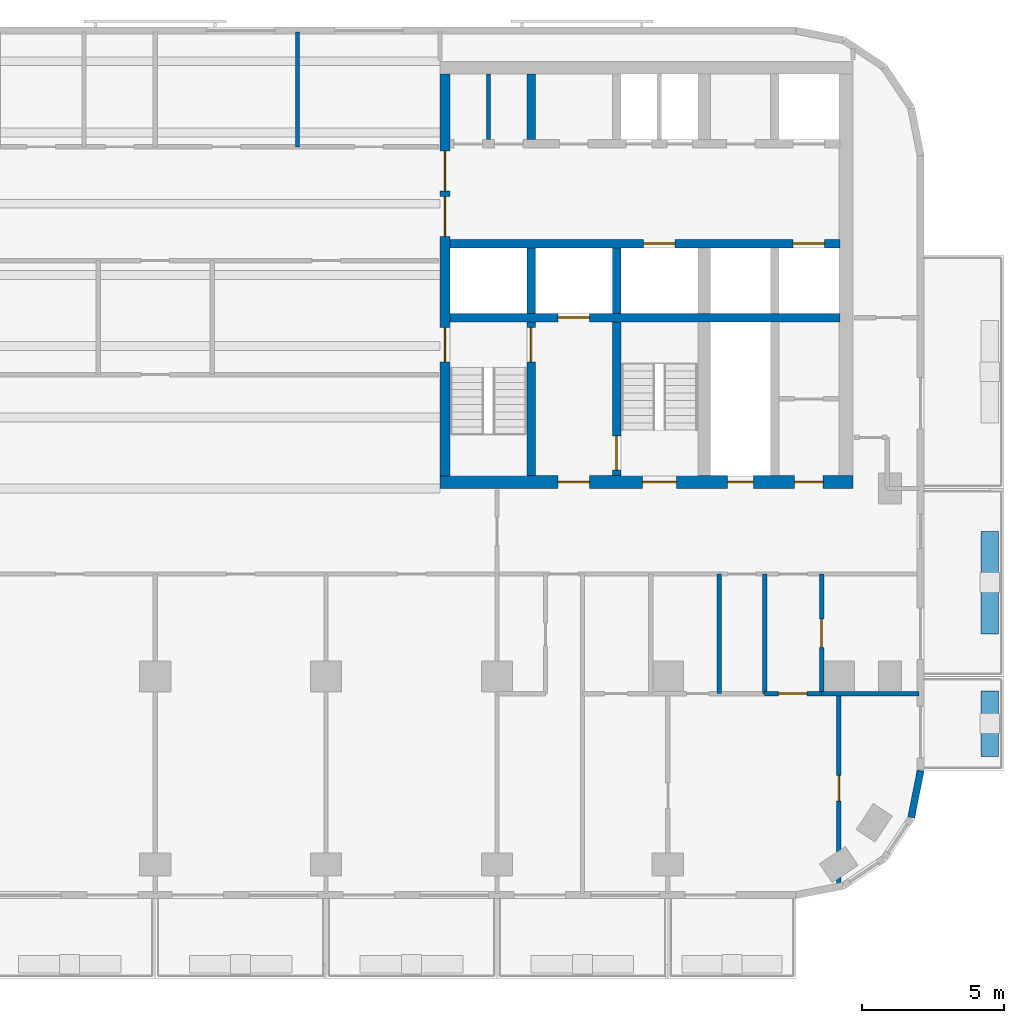
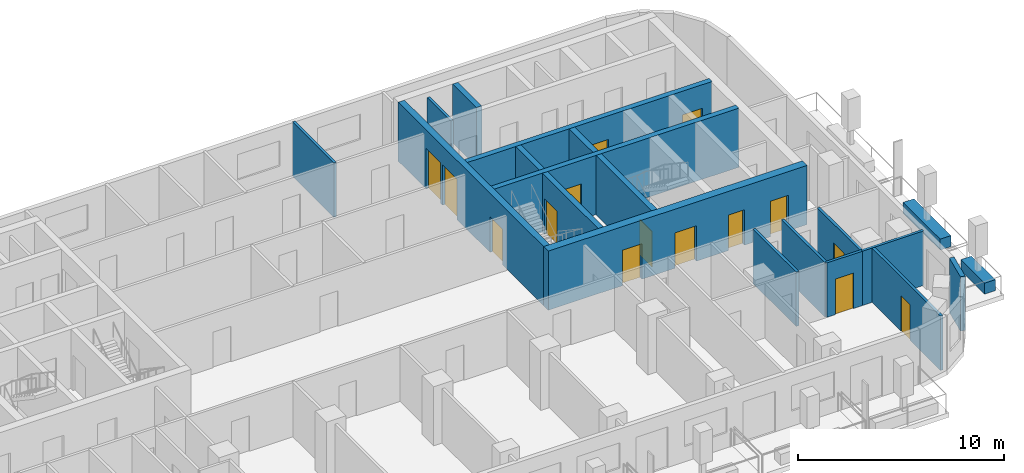
# One storey, part 6 of 12: 20 walls, 15 doors, 15 openings.
"""IFC4 building model written with IfcOpenShell, lengths in metres."""

from ifc_helpers import new_model, si_unit, direction, frame, frame_2d, origin, place, context, subcontext, project, spatial, rectangle, extrude, material, layer, layer_set, type_object, element, fill, save


model = new_model("IFC4")

# Units and contexts
model_context = context("Model", 3, precision=1e-05, world=origin(), true_north=direction((0.0, 1.0)))
body_context = subcontext(model_context, "Body", "Model", "MODEL_VIEW")
ifc_project = project(units=[si_unit("LENGTHUNIT", "METRE"), si_unit("AREAUNIT", "SQUARE_METRE"), si_unit("VOLUMEUNIT", "CUBIC_METRE"), si_unit("PLANEANGLEUNIT", "RADIAN"), si_unit("MASSUNIT", "GRAM", prefix="KILO")], contexts=[model_context])

# Site, building, storey
site_placement = place(None, origin())
site = spatial("IfcSite", under=ifc_project, at=site_placement, CompositionType="ELEMENT")
building_placement = place(site_placement, origin())
building = spatial("IfcBuilding", under=site, at=building_placement, Name="Torana Hotel and Residences", CompositionType="ELEMENT")
storey_placement = place(building_placement, frame((0.0, 0.0, 197.60009765625)))
storey = spatial("IfcBuildingStorey", under=building, at=storey_placement, Name="L51", CompositionType="ELEMENT", Elevation=197.60009765625)

# Wall, openings, doors
ifc_material_1 = material(Name="Concrete C70/85", Category="concrete")
ifc_layer_1 = layer(ifc_material_1, 0.300048828125)
ifc_layer_set_1 = layer_set([ifc_layer_1], Name="CORE WALL 300 C70/85")
wall_type_1 = type_object("IfcWallType", Name="CORE WALL 300 C70/85", PredefinedType="SHEAR", material=ifc_layer_set_1)
wall_1_placement = place(storey_placement, frame((10.35009765625, -6.39990234375, 0.0), z_axis=(0.0, 0.0, 1.0), x_axis=(1.0, 0.0, 0.0)))
wall_1 = element("IfcWall", 1, at=wall_1_placement, inside=storey, type_object=wall_type_1, Name="Core wall E row-S", PredefinedType="SHEAR", context=body_context, shape_type="SweptSolid", body=[
    extrude(rectangle(XDim=13.699951171875, YDim=0.300048828125, at=frame_2d((6.85009765625, 0.0))), origin(), (0.0, 0.0, 1.0), 3.5),
])
opening_1_placement = place(wall_1_placement, frame((12.050048828125, 0.0, 0.0)))
opening_1 = element("IfcOpeningElement", 2, at=opening_1_placement, cuts=wall_1, Name="Opening LD", PredefinedType="OPENING", context=body_context, shape_type="SweptSolid", body=[
    extrude(rectangle(XDim=1.10009765625, YDim=2.10009765625, at=frame_2d((0.550048828125, 1.050048828125))), frame((0.0, 0.159912109375, 0.0), z_axis=(0.0, -1.0, 0.0), x_axis=(1.0, 0.0, 0.0)), (0.0, 0.0, 1.0), 0.320068359375),
])
opening_2_placement = place(wall_1_placement, frame((6.800048828125, 0.0, 0.0)))
opening_2 = element("IfcOpeningElement", 3, at=opening_2_placement, cuts=wall_1, Name="Opening LD", PredefinedType="OPENING", context=body_context, shape_type="SweptSolid", body=[
    extrude(rectangle(XDim=1.10009765625, YDim=2.10009765625, at=frame_2d((0.550048828125, 1.050048828125))), frame((0.0, 0.159912109375, 0.0), z_axis=(0.0, -1.0, 0.0), x_axis=(1.0, 0.0, 0.0)), (0.0, 0.0, 1.0), 0.320068359375),
])
ifc_material_2 = material(Name="Stainless steel 316", Category="steel")
door_type_1 = type_object("IfcDoorType", Name="LIFT LANDING DOOR LD 1100x2100", OperationType="DOUBLE_DOOR_SLIDING", PredefinedType="USERDEFINED", material=ifc_material_2)
door_1_placement = place(opening_1_placement, origin())
door_1 = element("IfcDoor", 4, at=door_1_placement, inside=storey, type_object=door_type_1, Name="Lift landing door M4 L51", ObjectType="LIFT LANDING DOOR", OperationType="DOUBLE_DOOR_SLIDING", OverallHeight=2.10009765625, OverallWidth=1.10009765625, PredefinedType="USERDEFINED", context=body_context, shape_type="SweptSolid", body=[
    extrude(rectangle(XDim=1.10009765625, YDim=2.10009765625, at=frame_2d((0.550048828125, 1.050048828125))), frame((0.0, 0.02490234375, 0.0), z_axis=(0.0, -1.0, 0.0), x_axis=(1.0, 0.0, 0.0)), (0.0, 0.0, 1.0), 0.050048828125),
])
fill(opening_1, door_1)
door_2_placement = place(opening_2_placement, origin())
door_2 = element("IfcDoor", 5, at=door_2_placement, inside=storey, type_object=door_type_1, Name="Lift landing door SV2 L51", ObjectType="LIFT LANDING DOOR", OperationType="DOUBLE_DOOR_SLIDING", OverallHeight=2.10009765625, OverallWidth=1.10009765625, PredefinedType="USERDEFINED", context=body_context, shape_type="SweptSolid", body=[
    extrude(rectangle(XDim=1.10009765625, YDim=2.10009765625, at=frame_2d((0.550048828125, 1.050048828125))), frame((0.0, 0.02490234375, 0.0), z_axis=(0.0, -1.0, 0.0), x_axis=(1.0, 0.0, 0.0)), (0.0, 0.0, 1.0), 0.050048828125),
])
fill(opening_2, door_2)

# Wall, opening, door
wall_2_placement = place(storey_placement, frame((10.35009765625, -9.0, 0.0), z_axis=(0.0, 0.0, 1.0), x_axis=(1.0, 0.0, 0.0)))
wall_2 = element("IfcWall", 6, at=wall_2_placement, inside=storey, type_object=wall_type_1, Name="Core wall E band", PredefinedType="SHEAR", context=body_context, shape_type="SweptSolid", body=[
    extrude(rectangle(XDim=13.699951171875, YDim=0.300048828125, at=frame_2d((6.85009765625, 0.0))), origin(), (0.0, 0.0, 1.0), 3.5),
])
opening_3_placement = place(wall_2_placement, frame((3.800048828125, 0.0, 0.0)))
opening_3 = element("IfcOpeningElement", 7, at=opening_3_placement, cuts=wall_2, Name="Opening LD", PredefinedType="OPENING", context=body_context, shape_type="SweptSolid", body=[
    extrude(rectangle(XDim=1.10009765625, YDim=2.10009765625, at=frame_2d((0.550048828125, 1.050048828125))), frame((0.0, 0.159912109375, 0.0), z_axis=(0.0, -1.0, 0.0), x_axis=(1.0, 0.0, 0.0)), (0.0, 0.0, 1.0), 0.320068359375),
])
door_3_placement = place(opening_3_placement, origin())
door_3 = element("IfcDoor", 8, at=door_3_placement, inside=storey, type_object=door_type_1, Name="Lift landing door FF2 L51", ObjectType="LIFT LANDING DOOR", OperationType="DOUBLE_DOOR_SLIDING", OverallHeight=2.10009765625, OverallWidth=1.10009765625, PredefinedType="USERDEFINED", context=body_context, shape_type="SweptSolid", body=[
    extrude(rectangle(XDim=1.10009765625, YDim=2.10009765625, at=frame_2d((0.550048828125, 1.050048828125))), frame((0.0, 0.02490234375, 0.0), z_axis=(0.0, -1.0, 0.0), x_axis=(1.0, 0.0, 0.0)), (0.0, 0.0, 1.0), 0.050048828125),
])
fill(opening_3, door_3)

# Walls
for number, where, z_axis, x_axis, name in (
    (9, (13.199951171875, -2.75, 0.0), (0.0, 0.0, 1.0), (0.0, 1.0, 0.0), "Core wall E x3.05-N"),
    (10, (13.199951171875, -8.85009765625, 0.0), (0.0, 0.0, 1.0), (0.0, 1.0, 0.0), "Core wall E x3.05-S"),
):
    element("IfcWall", number, at=place(storey_placement, frame(where, z_axis=z_axis, x_axis=x_axis)), inside=storey, type_object=wall_type_1, Name=name, PredefinedType="SHEAR", context=body_context, shape_type="SweptSolid", body=[
        extrude(rectangle(XDim=2.300048828125, YDim=0.300048828125, at=frame_2d((1.14990234375, 0.0))), origin(), (0.0, 0.0, 1.0), 3.5),
    ])

# Wall, opening, door
wall_3_placement = place(storey_placement, frame((13.199951171875, -14.550048828125, 0.0), z_axis=(0.0, 0.0, 1.0), x_axis=(0.0, 1.0, 0.0)))
wall_3 = element("IfcWall", 11, at=wall_3_placement, inside=storey, type_object=wall_type_1, Name="Core wall E x3.05-band", PredefinedType="SHEAR", context=body_context, shape_type="SweptSolid", body=[
    extrude(rectangle(XDim=5.400146484375, YDim=0.300048828125, at=frame_2d((2.7001953125, 0.0))), origin(), (0.0, 0.0, 1.0), 3.5),
])
opening_4_placement = place(wall_3_placement, frame((4.0, 0.0, 0.0)))
opening_4 = element("IfcOpeningElement", 12, at=opening_4_placement, cuts=wall_3, Name="Opening L51-29", PredefinedType="OPENING", context=body_context, shape_type="SweptSolid", body=[
    extrude(rectangle(XDim=1.199951171875, YDim=2.10009765625, at=frame_2d((0.60009765625, 1.050048828125))), frame((0.0, 0.159912109375, 0.0), z_axis=(0.0, -1.0, 0.0), x_axis=(1.0, 0.0, 0.0)), (0.0, 0.0, 1.0), 0.320068359375),
])
ifc_material_3 = material(Name="Steel S235", Category="steel")
door_type_2 = type_object("IfcDoorType", Name="STAIR FIRE DOOR D3 1200x2100", OperationType="SINGLE_SWING_LEFT", PredefinedType="DOOR", material=ifc_material_3)
door_4_placement = place(opening_4_placement, origin())
door_4 = element("IfcDoor", 13, at=door_4_placement, inside=storey, type_object=door_type_2, Name="Stair-A-lobby door L51", OperationType="SINGLE_SWING_LEFT", OverallHeight=2.10009765625, OverallWidth=1.199951171875, PredefinedType="DOOR", context=body_context, shape_type="SweptSolid", body=[
    extrude(rectangle(XDim=1.199951171875, YDim=2.10009765625, at=frame_2d((0.60009765625, 1.050048828125))), frame((0.0, 0.02490234375, 0.0), z_axis=(0.0, -1.0, 0.0), x_axis=(1.0, 0.0, 0.0)), (0.0, 0.0, 1.0), 0.050048828125),
])
fill(opening_4, door_4)

# Wall
wall_4_placement = place(storey_placement, frame((16.199951171875, -8.85009765625, 0.0), z_axis=(0.0, 0.0, 1.0), x_axis=(0.0, 1.0, 0.0)))
element("IfcWall", 14, at=wall_4_placement, inside=storey, type_object=wall_type_1, Name="Core wall E x6.05-S", PredefinedType="SHEAR", context=body_context, shape_type="SweptSolid", body=[
    extrude(rectangle(XDim=2.300048828125, YDim=0.300048828125, at=frame_2d((1.14990234375, 0.0))), origin(), (0.0, 0.0, 1.0), 3.5),
])

# Wall, opening, door
wall_5_placement = place(storey_placement, frame((16.199951171875, -14.550048828125, 0.0), z_axis=(0.0, 0.0, 1.0), x_axis=(0.0, 1.0, 0.0)))
wall_5 = element("IfcWall", 15, at=wall_5_placement, inside=storey, type_object=wall_type_1, Name="Core wall E x6.05-band", PredefinedType="SHEAR", context=body_context, shape_type="SweptSolid", body=[
    extrude(rectangle(XDim=5.400146484375, YDim=0.300048828125, at=frame_2d((2.7001953125, 0.0))), origin(), (0.0, 0.0, 1.0), 3.5),
])
opening_5_placement = place(wall_5_placement, frame((0.199951171875, 0.0, 0.0)))
opening_5 = element("IfcOpeningElement", 16, at=opening_5_placement, cuts=wall_5, Name="Opening L51-30", PredefinedType="OPENING", context=body_context, shape_type="SweptSolid", body=[
    extrude(rectangle(XDim=1.199951171875, YDim=2.10009765625, at=frame_2d((0.60009765625, 1.050048828125))), frame((0.0, 0.159912109375, 0.0), z_axis=(0.0, -1.0, 0.0), x_axis=(1.0, 0.0, 0.0)), (0.0, 0.0, 1.0), 0.320068359375),
])
door_5_placement = place(opening_5_placement, frame((0.60009765625, 0.0, 0.0), z_axis=(0.0, 0.0, 1.0), x_axis=(-1.0, 0.0, 0.0)))
door_5 = element("IfcDoor", 17, at=door_5_placement, inside=storey, type_object=door_type_2, Name="Stair-B-lobby door L51", OperationType="SINGLE_SWING_LEFT", OverallHeight=2.10009765625, OverallWidth=1.199951171875, PredefinedType="DOOR", context=body_context, shape_type="SweptSolid", body=[
    extrude(rectangle(XDim=1.199951171875, YDim=2.10009765625, at=frame_2d((0.0, 1.050048828125))), frame((0.0, -0.02490234375, 0.0), z_axis=(0.0, 1.0, 0.0), x_axis=(-1.0, 0.0, 0.0)), (0.0, 0.0, 1.0), 0.050048828125),
])
fill(opening_5, door_5)

# Wall, openings, doors
ifc_material_4 = material(Name="Concrete C70/85", Category="concrete")
ifc_layer_2 = layer(ifc_material_4, 0.35009765625)
ifc_layer_set_2 = layer_set([ifc_layer_2], Name="CORE WALL 350 C70/85")
wall_type_2 = type_object("IfcWallType", Name="CORE WALL 350 C70/85", PredefinedType="SHEAR", material=ifc_layer_set_2)
wall_6_placement = place(storey_placement, frame((10.175048828125, -14.550048828125, 0.0), z_axis=(0.0, 0.0, 1.0), x_axis=(0.0, 1.0, 0.0)))
wall_6 = element("IfcWall", 18, at=wall_6_placement, inside=storey, type_object=wall_type_2, Name="Core wall E arch", PredefinedType="SHEAR", context=body_context, shape_type="SweptSolid", body=[
    extrude(rectangle(XDim=14.10009765625, YDim=0.35009765625, at=frame_2d((7.050048828125, 0.0))), origin(), (0.0, 0.0, 1.0), 3.5),
])
opening_6_placement = place(wall_6_placement, frame((8.39990234375, 0.0, 0.0)))
opening_6 = element("IfcOpeningElement", 19, at=opening_6_placement, cuts=wall_6, Name="Opening L51-16", PredefinedType="OPENING", context=body_context, shape_type="SweptSolid", body=[
    extrude(rectangle(XDim=1.39990234375, YDim=2.39990234375, at=frame_2d((0.699951171875, 1.199951171875))), frame((0.0, 0.18505859375, 0.0), z_axis=(0.0, -1.0, 0.0), x_axis=(1.0, 0.0, 0.0)), (0.0, 0.0, 1.0), 0.3701171875),
])
opening_7_placement = place(wall_6_placement, frame((10.0, 0.0, 0.0)))
opening_7 = element("IfcOpeningElement", 20, at=opening_7_placement, cuts=wall_6, Name="Opening L51-17", PredefinedType="OPENING", context=body_context, shape_type="SweptSolid", body=[
    extrude(rectangle(XDim=1.39990234375, YDim=2.39990234375, at=frame_2d((0.699951171875, 1.199951171875))), frame((0.0, 0.18505859375, 0.0), z_axis=(0.0, -1.0, 0.0), x_axis=(1.0, 0.0, 0.0)), (0.0, 0.0, 1.0), 0.3701171875),
])
opening_8_placement = place(wall_6_placement, frame((4.0, 0.0, 0.0)))
opening_8 = element("IfcOpeningElement", 21, at=opening_8_placement, cuts=wall_6, Name="Opening L51-18", PredefinedType="OPENING", context=body_context, shape_type="SweptSolid", body=[
    extrude(rectangle(XDim=1.199951171875, YDim=2.10009765625, at=frame_2d((0.60009765625, 1.050048828125))), frame((0.0, 0.18505859375, 0.0), z_axis=(0.0, -1.0, 0.0), x_axis=(1.0, 0.0, 0.0)), (0.0, 0.0, 1.0), 0.3701171875),
])
ifc_material_5 = material(Name="Steel S235", Category="steel")
door_type_3 = type_object("IfcDoorType", Name="LOBBY FIRE DOOR D4 1400x2400", OperationType="DOUBLE_DOOR_SINGLE_SWING", PredefinedType="DOOR", material=ifc_material_5)
door_6_placement = place(opening_6_placement, origin())
door_6 = element("IfcDoor", 22, at=door_6_placement, inside=storey, type_object=door_type_3, Name="Lobby-1 door L51", OperationType="DOUBLE_DOOR_SINGLE_SWING", OverallHeight=2.39990234375, OverallWidth=1.39990234375, PredefinedType="DOOR", context=body_context, shape_type="SweptSolid", body=[
    extrude(rectangle(XDim=1.39990234375, YDim=2.39990234375, at=frame_2d((0.699951171875, 1.199951171875))), frame((0.0, 0.02490234375, 0.0), z_axis=(0.0, -1.0, 0.0), x_axis=(1.0, 0.0, 0.0)), (0.0, 0.0, 1.0), 0.050048828125),
])
fill(opening_6, door_6)
door_7_placement = place(opening_7_placement, origin())
door_7 = element("IfcDoor", 23, at=door_7_placement, inside=storey, type_object=door_type_3, Name="Lobby-2 door L51", OperationType="DOUBLE_DOOR_SINGLE_SWING", OverallHeight=2.39990234375, OverallWidth=1.39990234375, PredefinedType="DOOR", context=body_context, shape_type="SweptSolid", body=[
    extrude(rectangle(XDim=1.39990234375, YDim=2.39990234375, at=frame_2d((0.699951171875, 1.199951171875))), frame((0.0, 0.02490234375, 0.0), z_axis=(0.0, -1.0, 0.0), x_axis=(1.0, 0.0, 0.0)), (0.0, 0.0, 1.0), 0.050048828125),
])
fill(opening_7, door_7)
door_8_placement = place(opening_8_placement, frame((0.60009765625, 0.0, 0.0), z_axis=(0.0, 0.0, 1.0), x_axis=(-1.0, 0.0, 0.0)))
door_8 = element("IfcDoor", 24, at=door_8_placement, inside=storey, type_object=door_type_2, Name="Stair-A door L51", OperationType="SINGLE_SWING_RIGHT", OverallHeight=2.10009765625, OverallWidth=1.199951171875, PredefinedType="DOOR", context=body_context, shape_type="SweptSolid", body=[
    extrude(rectangle(XDim=1.199951171875, YDim=2.10009765625, at=frame_2d((0.0, 1.050048828125))), frame((0.0, -0.02490234375, 0.0), z_axis=(0.0, 1.0, 0.0), x_axis=(-1.0, 0.0, 0.0)), (0.0, 0.0, 1.0), 0.050048828125),
])
fill(opening_8, door_8)

ifc_material_6 = material(Name="Concrete C70/85", Category="concrete")
ifc_layer_3 = layer(ifc_material_6, 0.449951171875)
ifc_layer_set_3 = layer_set([ifc_layer_3], Name="CORE WALL 450 C70/85")
wall_type_3 = type_object("IfcWallType", Name="CORE WALL 450 C70/85", PredefinedType="SHEAR", material=ifc_layer_set_3)
wall_7_placement = place(storey_placement, frame((10.0, -14.77490234375, 0.0), z_axis=(0.0, 0.0, 1.0), x_axis=(1.0, 0.0, 0.0)))
wall_7 = element("IfcWall", 25, at=wall_7_placement, inside=storey, type_object=wall_type_3, Name="Core wall E front", PredefinedType="SHEAR", context=body_context, shape_type="SweptSolid", body=[
    extrude(rectangle(XDim=14.5, YDim=0.449951171875, at=frame_2d((7.25, 0.0))), origin(), (0.0, 0.0, 1.0), 3.5),
])
opening_9_placement = place(wall_7_placement, frame((7.10009765625, 0.0, 0.0)))
opening_9 = element("IfcOpeningElement", 26, at=opening_9_placement, cuts=wall_7, Name="Opening L51-19", PredefinedType="OPENING", context=body_context, shape_type="SweptSolid", body=[
    extrude(rectangle(XDim=1.199951171875, YDim=2.10009765625, at=frame_2d((0.60009765625, 1.050048828125))), frame((0.0, 0.23486328125, 0.0), z_axis=(0.0, -1.0, 0.0), x_axis=(1.0, 0.0, 0.0)), (0.0, 0.0, 1.0), 0.469970703125),
])
opening_10_placement = place(wall_7_placement, frame((4.14990234375, 0.0, 0.0)))
opening_10 = element("IfcOpeningElement", 27, at=opening_10_placement, cuts=wall_7, Name="Opening L51-20", PredefinedType="OPENING", context=body_context, shape_type="SweptSolid", body=[
    extrude(rectangle(XDim=1.10009765625, YDim=2.10009765625, at=frame_2d((0.550048828125, 1.050048828125))), frame((0.0, 0.23486328125, 0.0), z_axis=(0.0, -1.0, 0.0), x_axis=(1.0, 0.0, 0.0)), (0.0, 0.0, 1.0), 0.469970703125),
])
opening_11_placement = place(wall_7_placement, frame((10.10009765625, 0.0, 0.0)))
opening_11 = element("IfcOpeningElement", 28, at=opening_11_placement, cuts=wall_7, Name="Opening L51-21", PredefinedType="OPENING", context=body_context, shape_type="SweptSolid", body=[
    extrude(rectangle(XDim=0.89990234375, YDim=2.10009765625, at=frame_2d((0.449951171875, 1.050048828125))), frame((0.0, 0.23486328125, 0.0), z_axis=(0.0, -1.0, 0.0), x_axis=(1.0, 0.0, 0.0)), (0.0, 0.0, 1.0), 0.469970703125),
])
opening_12_placement = place(wall_7_placement, frame((12.449951171875, 0.0, 0.0)))
opening_12 = element("IfcOpeningElement", 29, at=opening_12_placement, cuts=wall_7, Name="Opening L51-22", PredefinedType="OPENING", context=body_context, shape_type="SweptSolid", body=[
    extrude(rectangle(XDim=1.0, YDim=2.10009765625, at=frame_2d((0.5, 1.050048828125))), frame((0.0, 0.23486328125, 0.0), z_axis=(0.0, -1.0, 0.0), x_axis=(1.0, 0.0, 0.0)), (0.0, 0.0, 1.0), 0.469970703125),
])
ifc_material_7 = material(Name="Steel S235", Category="steel")
door_type_4 = type_object("IfcDoorType", Name="CORE ROOM FIRE DOOR D14 1000x2100", OperationType="SINGLE_SWING_LEFT", PredefinedType="DOOR", material=ifc_material_7)
door_9_placement = place(opening_12_placement, origin())
door_9 = element("IfcDoor", 30, at=door_9_placement, inside=storey, type_object=door_type_4, Name="M-Room-B door L51", OperationType="SINGLE_SWING_RIGHT", OverallHeight=2.10009765625, OverallWidth=1.0, PredefinedType="DOOR", context=body_context, shape_type="SweptSolid", body=[
    extrude(rectangle(XDim=1.0, YDim=2.10009765625, at=frame_2d((0.5, 1.050048828125))), frame((0.0, 0.02490234375, 0.0), z_axis=(0.0, -1.0, 0.0), x_axis=(1.0, 0.0, 0.0)), (0.0, 0.0, 1.0), 0.050048828125),
])
fill(opening_12, door_9)
ifc_material_8 = material(Name="Steel S235", Category="steel")
door_type_5 = type_object("IfcDoorType", Name="FIRE-FIGHTING LOBBY DOOR D8 1100x2100", OperationType="SINGLE_SWING_LEFT", PredefinedType="DOOR", material=ifc_material_8)
door_10_placement = place(opening_10_placement, origin())
door_10 = element("IfcDoor", 31, at=door_10_placement, inside=storey, type_object=door_type_5, Name="FF-lobby door L51", OperationType="SINGLE_SWING_RIGHT", OverallHeight=2.10009765625, OverallWidth=1.10009765625, PredefinedType="DOOR", context=body_context, shape_type="SweptSolid", body=[
    extrude(rectangle(XDim=1.10009765625, YDim=2.10009765625, at=frame_2d((0.550048828125, 1.050048828125))), frame((0.0, 0.02490234375, 0.0), z_axis=(0.0, -1.0, 0.0), x_axis=(1.0, 0.0, 0.0)), (0.0, 0.0, 1.0), 0.050048828125),
])
fill(opening_10, door_10)
ifc_material_9 = material(Name="Steel S235", Category="steel")
door_type_6 = type_object("IfcDoorType", Name="RISER ACCESS DOOR D5 900x2100", OperationType="SINGLE_SWING_LEFT", PredefinedType="DOOR", material=ifc_material_9)
door_11_placement = place(opening_11_placement, origin())
door_11 = element("IfcDoor", 32, at=door_11_placement, inside=storey, type_object=door_type_6, Name="M-Riser door L51", OperationType="SINGLE_SWING_RIGHT", OverallHeight=2.10009765625, OverallWidth=0.89990234375, PredefinedType="DOOR", context=body_context, shape_type="SweptSolid", body=[
    extrude(rectangle(XDim=0.89990234375, YDim=2.10009765625, at=frame_2d((0.449951171875, 1.050048828125))), frame((0.0, 0.02490234375, 0.0), z_axis=(0.0, -1.0, 0.0), x_axis=(1.0, 0.0, 0.0)), (0.0, 0.0, 1.0), 0.050048828125),
])
fill(opening_11, door_11)
door_12_placement = place(opening_9_placement, origin())
door_12 = element("IfcDoor", 33, at=door_12_placement, inside=storey, type_object=door_type_2, Name="Stair-B door L51", OperationType="SINGLE_SWING_RIGHT", OverallHeight=2.10009765625, OverallWidth=1.199951171875, PredefinedType="DOOR", context=body_context, shape_type="SweptSolid", body=[
    extrude(rectangle(XDim=1.199951171875, YDim=2.10009765625, at=frame_2d((0.60009765625, 1.050048828125))), frame((0.0, 0.02490234375, 0.0), z_axis=(0.0, -1.0, 0.0), x_axis=(1.0, 0.0, 0.0)), (0.0, 0.0, 1.0), 0.050048828125),
])
fill(opening_9, door_12)

# Walls
ifc_material_10 = material(Name="Black aluminium composite panel", Category="aluminium")
ifc_layer_4 = layer(ifc_material_10, 0.00390625, Name="Cladding", Category="cladding")
ifc_material_11 = material(Name="Ventilated air cavity")
ifc_layer_5 = layer(ifc_material_11, 0.0400390625, Name="Ventilated cavity", Category="cavity")
ifc_material_12 = material(Name="Mineral wool insulation")
ifc_layer_6 = layer(ifc_material_12, 0.090087890625, Name="Insulation", Category="insulation")
ifc_material_13 = material(Name="Steel S280GD", Category="steel")
ifc_layer_7 = layer(ifc_material_13, 0.092041015625, Name="Steel stud frame", Category="structure")
ifc_material_14 = material(Name="Fire rated plasterboard")
ifc_layer_8 = layer(ifc_material_14, 0.011962890625, Name="Inner board", Category="finish")
ifc_layer_9 = layer(ifc_material_14, 0.011962890625, Name="Second board", Category="finish")
ifc_layer_set_4 = layer_set([ifc_layer_4, ifc_layer_5, ifc_layer_6, ifc_layer_7, ifc_layer_8, ifc_layer_9], Name="EW1 EXTERNAL WALL BLACK METAL CLAD 250")
wall_type_4 = type_object("IfcWallType", Name="EW1 EXTERNAL WALL BLACK METAL CLAD 250", PredefinedType="SOLIDWALL", material=ifc_layer_set_4)
wall_8_placement = place(storey_placement, frame((26.544677734375, -26.548828125, 0.0), z_axis=(0.0, 0.0, 1.0), x_axis=(0.195026884138, 0.980797896849, 0.0)))
element("IfcWall", 34, at=wall_8_placement, inside=storey, type_object=wall_type_4, Name="External wall L51 e0.18", PredefinedType="SOLIDWALL", context=body_context, shape_type="SweptSolid", body=[
    extrude(rectangle(XDim=1.68115234375, YDim=0.25, at=frame_2d((0.840576171875, 0.0))), origin(), (0.0, 0.0, 1.0), 3.219970703125),
])
ifc_material_15 = material(Name="Gypsum plaster")
ifc_layer_10 = layer(ifc_material_15, 0.014892578125, Name="Plaster", Category="finish")
ifc_material_16 = material(Name="Concrete blockwork", Category="masonry")
ifc_layer_11 = layer(ifc_material_16, 0.1201171875, Name="Blockwork", Category="structure")
ifc_layer_12 = layer(ifc_material_15, 0.014892578125, Name="Plaster", Category="finish")
ifc_layer_set_5 = layer_set([ifc_layer_10, ifc_layer_11, ifc_layer_12], Name="FIRE PARTITION 150 BLOCKWORK")
wall_type_5 = type_object("IfcWallType", Name="FIRE PARTITION 150 BLOCKWORK", PredefinedType="PARTITIONING", material=ifc_layer_set_5)
wall_9_placement = place(storey_placement, frame((11.699951171875, -2.75, 0.0), z_axis=(0.0, 0.0, 1.0), x_axis=(0.0, 1.0, 0.0)))
element("IfcWall", 35, at=wall_9_placement, inside=storey, type_object=wall_type_5, Name="Core partition L51", PredefinedType="PARTITIONING", context=body_context, shape_type="SweptSolid", body=[
    extrude(rectangle(XDim=2.300048828125, YDim=0.14990234375, at=frame_2d((1.14990234375, 0.0))), origin(), (0.0, 0.0, 1.0), 3.199951171875),
])

# Wall, opening, door
wall_10_placement = place(storey_placement, frame((23.39990234375, -22.199951171875, 0.0), z_axis=(0.0, 0.0, 1.0), x_axis=(0.0, 1.0, 0.0)))
wall_10 = element("IfcWall", 36, at=wall_10_placement, inside=storey, type_object=wall_type_5, Name="Partition L51", PredefinedType="PARTITIONING", context=body_context, shape_type="SweptSolid", body=[
    extrude(rectangle(XDim=4.199951171875, YDim=0.14990234375, at=frame_2d((2.10009765625, 0.0))), origin(), (0.0, 0.0, 1.0), 3.219970703125),
])
opening_13_placement = place(wall_10_placement, frame((1.6201171875, 0.0, 0.0)))
opening_13 = element("IfcOpeningElement", 37, at=opening_13_placement, cuts=wall_10, Name="Opening L51-66", PredefinedType="OPENING", context=body_context, shape_type="SweptSolid", body=[
    extrude(rectangle(XDim=1.0, YDim=2.10009765625, at=frame_2d((0.5, 1.050048828125))), frame((0.0, 0.0849609375, 0.0), z_axis=(0.0, -1.0, 0.0), x_axis=(1.0, 0.0, 0.0)), (0.0, 0.0, 1.0), 0.169921875),
])
ifc_material_17 = material(Name="Steel S235", Category="steel")
door_type_7 = type_object("IfcDoorType", Name="ENTRY FIRE DOOR D6 1000x2100", OperationType="SINGLE_SWING_LEFT", PredefinedType="DOOR", material=ifc_material_17)
door_13_placement = place(opening_13_placement, frame((0.5, 0.0, 0.0), z_axis=(0.0, 0.0, 1.0), x_axis=(-1.0, 0.0, 0.0)))
door_13 = element("IfcDoor", 38, at=door_13_placement, inside=storey, type_object=door_type_7, Name="Door L51", OperationType="SINGLE_SWING_LEFT", OverallHeight=2.10009765625, OverallWidth=1.0, PredefinedType="DOOR", context=body_context, shape_type="SweptSolid", body=[
    extrude(rectangle(XDim=1.0, YDim=2.10009765625, at=frame_2d((0.0, 1.050048828125))), frame((0.0, -0.02490234375, 0.0), z_axis=(0.0, 1.0, 0.0), x_axis=(-1.0, 0.0, 0.0)), (0.0, 0.0, 1.0), 0.050048828125),
])
fill(opening_13, door_13)

# Wall
wall_11_placement = place(storey_placement, frame((21.39990234375, -22.199951171875, 0.0), z_axis=(0.0, 0.0, 1.0), x_axis=(0.0, 1.0, 0.0)))
element("IfcWall", 39, at=wall_11_placement, inside=storey, type_object=wall_type_5, Name="Partition L51", PredefinedType="PARTITIONING", context=body_context, shape_type="SweptSolid", body=[
    extrude(rectangle(XDim=4.199951171875, YDim=0.14990234375, at=frame_2d((2.10009765625, 0.0))), origin(), (0.0, 0.0, 1.0), 3.219970703125),
])

# Wall, opening, door
wall_12_placement = place(storey_placement, frame((21.39990234375, -22.199951171875, 0.0), z_axis=(0.0, 0.0, 1.0), x_axis=(1.0, 0.0, 0.0)))
wall_12 = element("IfcWall", 40, at=wall_12_placement, inside=storey, type_object=wall_type_5, Name="Partition L51", PredefinedType="PARTITIONING", context=body_context, shape_type="SweptSolid", body=[
    extrude(rectangle(XDim=2.0, YDim=0.14990234375, at=frame_2d((1.0, 0.0))), origin(), (0.0, 0.0, 1.0), 3.219970703125),
])
opening_14_placement = place(wall_12_placement, frame((0.47998046875, 0.0, 0.0)))
opening_14 = element("IfcOpeningElement", 41, at=opening_14_placement, cuts=wall_12, Name="Opening L51-67", PredefinedType="OPENING", context=body_context, shape_type="SweptSolid", body=[
    extrude(rectangle(XDim=1.0, YDim=2.10009765625, at=frame_2d((0.5, 1.050048828125))), frame((0.0, 0.0849609375, 0.0), z_axis=(0.0, -1.0, 0.0), x_axis=(1.0, 0.0, 0.0)), (0.0, 0.0, 1.0), 0.169921875),
])
door_14_placement = place(opening_14_placement, frame((0.5, 0.0, 0.0), z_axis=(0.0, 0.0, 1.0), x_axis=(-1.0, 0.0, 0.0)))
door_14 = element("IfcDoor", 42, at=door_14_placement, inside=storey, type_object=door_type_7, Name="Door L51", OperationType="SINGLE_SWING_RIGHT", OverallHeight=2.10009765625, OverallWidth=1.0, PredefinedType="DOOR", context=body_context, shape_type="SweptSolid", body=[
    extrude(rectangle(XDim=1.0, YDim=2.10009765625, at=frame_2d((0.0, 1.050048828125))), frame((0.0, -0.02490234375, 0.0), z_axis=(0.0, 1.0, 0.0), x_axis=(-1.0, 0.0, 0.0)), (0.0, 0.0, 1.0), 0.050048828125),
])
fill(opening_14, door_14)

ifc_material_18 = material(Name="Gypsum plasterboard")
ifc_layer_13 = layer(ifc_material_18, 0.012451171875, Name="Plasterboard", Category="finish")
ifc_layer_14 = layer(ifc_material_18, 0.012451171875, Name="Plasterboard", Category="finish")
ifc_layer_15 = layer(ifc_material_13, 0.10009765625, Name="Steel studs with mineral wool", Category="insulation")
ifc_layer_16 = layer(ifc_material_18, 0.012451171875, Name="Plasterboard", Category="finish")
ifc_layer_17 = layer(ifc_material_18, 0.012451171875, Name="Plasterboard", Category="finish")
ifc_layer_set_6 = layer_set([ifc_layer_13, ifc_layer_14, ifc_layer_15, ifc_layer_16, ifc_layer_17], Name="PARTITION 150 PLASTERBOARD")
wall_type_6 = type_object("IfcWallType", Name="PARTITION 150 PLASTERBOARD", PredefinedType="PARTITIONING", material=ifc_layer_set_6)
wall_13_placement = place(storey_placement, frame((24.0, -28.918212890625, 0.0), z_axis=(0.0, 0.0, 1.0), x_axis=(0.0, 1.0, 0.0)))
wall_13 = element("IfcWall", 43, at=wall_13_placement, inside=storey, type_object=wall_type_6, Name="Partition L51", PredefinedType="PARTITIONING", context=body_context, shape_type="SweptSolid", body=[
    extrude(rectangle(XDim=6.71826171875, YDim=0.14990234375, at=frame_2d((3.359130859375, 0.0))), origin(), (0.0, 0.0, 1.0), 3.219970703125),
])
opening_15_placement = place(wall_13_placement, frame((2.947998046875, 0.0, 0.0)))
opening_15 = element("IfcOpeningElement", 44, at=opening_15_placement, cuts=wall_13, Name="Opening L51-69", PredefinedType="OPENING", context=body_context, shape_type="SweptSolid", body=[
    extrude(rectangle(XDim=0.89990234375, YDim=2.10009765625, at=frame_2d((0.449951171875, 1.050048828125))), frame((0.0, 0.0849609375, 0.0), z_axis=(0.0, -1.0, 0.0), x_axis=(1.0, 0.0, 0.0)), (0.0, 0.0, 1.0), 0.169921875),
])
ifc_material_19 = material(Name="Timber door, oiled ash", Category="wood")
door_type_8 = type_object("IfcDoorType", Name="ROOM DOOR D7 900x2100", OperationType="SINGLE_SWING_LEFT", PredefinedType="DOOR", material=ifc_material_19)
door_15_placement = place(opening_15_placement, origin())
door_15 = element("IfcDoor", 45, at=door_15_placement, inside=storey, type_object=door_type_8, Name="Door L51", OperationType="SINGLE_SWING_RIGHT", OverallHeight=2.10009765625, OverallWidth=0.89990234375, PredefinedType="DOOR", context=body_context, shape_type="SweptSolid", body=[
    extrude(rectangle(XDim=0.89990234375, YDim=2.10009765625, at=frame_2d((0.449951171875, 1.050048828125))), frame((0.0, 0.02490234375, 0.0), z_axis=(0.0, -1.0, 0.0), x_axis=(1.0, 0.0, 0.0)), (0.0, 0.0, 1.0), 0.050048828125),
])
fill(opening_15, door_15)

# Walls
wall_14_placement = place(storey_placement, frame((19.800048828125, -22.199951171875, 0.0), z_axis=(0.0, 0.0, 1.0), x_axis=(0.0, 1.0, 0.0)))
element("IfcWall", 46, at=wall_14_placement, inside=storey, type_object=wall_type_6, Name="Partition L51", PredefinedType="PARTITIONING", context=body_context, shape_type="SweptSolid", body=[
    extrude(rectangle(XDim=4.199951171875, YDim=0.14990234375, at=frame_2d((2.10009765625, 0.0))), origin(), (0.0, 0.0, 1.0), 3.219970703125),
])
wall_15_placement = place(storey_placement, frame((5.0, -3.0, 0.0), z_axis=(0.0, 0.0, 1.0), x_axis=(0.0, 1.0, 0.0)))
element("IfcWall", 47, at=wall_15_placement, inside=storey, type_object=wall_type_6, Name="Partition L51", PredefinedType="PARTITIONING", context=body_context, shape_type="SweptSolid", body=[
    extrude(rectangle(XDim=4.02001953125, YDim=0.14990234375, at=frame_2d((2.010009765625, 0.0))), origin(), (0.0, 0.0, 1.0), 3.219970703125),
])
wall_16_placement = place(storey_placement, frame((23.39990234375, -22.199951171875, 0.0), z_axis=(0.0, 0.0, 1.0), x_axis=(1.0, 0.0, 0.0)))
element("IfcWall", 48, at=wall_16_placement, inside=storey, type_object=wall_type_6, Name="Partition L51", PredefinedType="PARTITIONING", context=body_context, shape_type="SweptSolid", body=[
    extrude(rectangle(XDim=3.420166015625, YDim=0.14990234375, at=frame_2d((1.7099609375, 0.0))), origin(), (0.0, 0.0, 1.0), 3.219970703125),
])
ifc_material_20 = material(Name="Concrete C40/50 precast", Category="concrete")
ifc_layer_18 = layer(ifc_material_20, 0.10009765625, Name="Planter shell", Category="structure")
ifc_material_21 = material(Name="Root resistant membrane")
ifc_layer_19 = layer(ifc_material_21, 0.00390625, Name="Waterproofing membrane", Category="membrane")
ifc_material_22 = material(Name="Drainage board with filter fleece")
ifc_layer_20 = layer(ifc_material_22, 0.02001953125, Name="Drainage board", Category="drainage")
ifc_material_23 = material(Name="Growing medium")
ifc_layer_21 = layer(ifc_material_23, 0.47607421875, Name="Planting substrate", Category="soil")
ifc_layer_set_7 = layer_set([ifc_layer_18, ifc_layer_19, ifc_layer_20, ifc_layer_21], Name="PL1 BALCONY PLANTER 600")
wall_type_7 = type_object("IfcWallType", Name="PL1 BALCONY PLANTER 600", PredefinedType="USERDEFINED", material=ifc_layer_set_7)
wall_17_placement = place(storey_placement, frame((29.300048828125, -22.10009765625, 0.0), z_axis=(0.0, 0.0, 1.0), x_axis=(0.0, -1.0, 0.0)))
element("IfcWall", 49, at=wall_17_placement, inside=storey, type_object=wall_type_7, Name="Planter 12", ObjectType="PLANTER", PredefinedType="USERDEFINED", context=body_context, shape_type="SweptSolid", body=[
    extrude(rectangle(XDim=2.2998046875, YDim=0.60009765625, at=frame_2d((1.14990234375, 0.0))), origin(), (0.0, 0.0, 1.0), 0.64990234375),
])
wall_18_placement = place(storey_placement, frame((29.300048828125, -16.5, 0.0), z_axis=(0.0, 0.0, 1.0), x_axis=(0.0, -1.0, 0.0)))
element("IfcWall", 50, at=wall_18_placement, inside=storey, type_object=wall_type_7, Name="Planter 13", ObjectType="PLANTER", PredefinedType="USERDEFINED", context=body_context, shape_type="SweptSolid", body=[
    extrude(rectangle(XDim=3.60009765625, YDim=0.60009765625, at=frame_2d((1.800048828125, 0.0))), origin(), (0.0, 0.0, 1.0), 0.64990234375),
])

save(model, "model.ifc")
